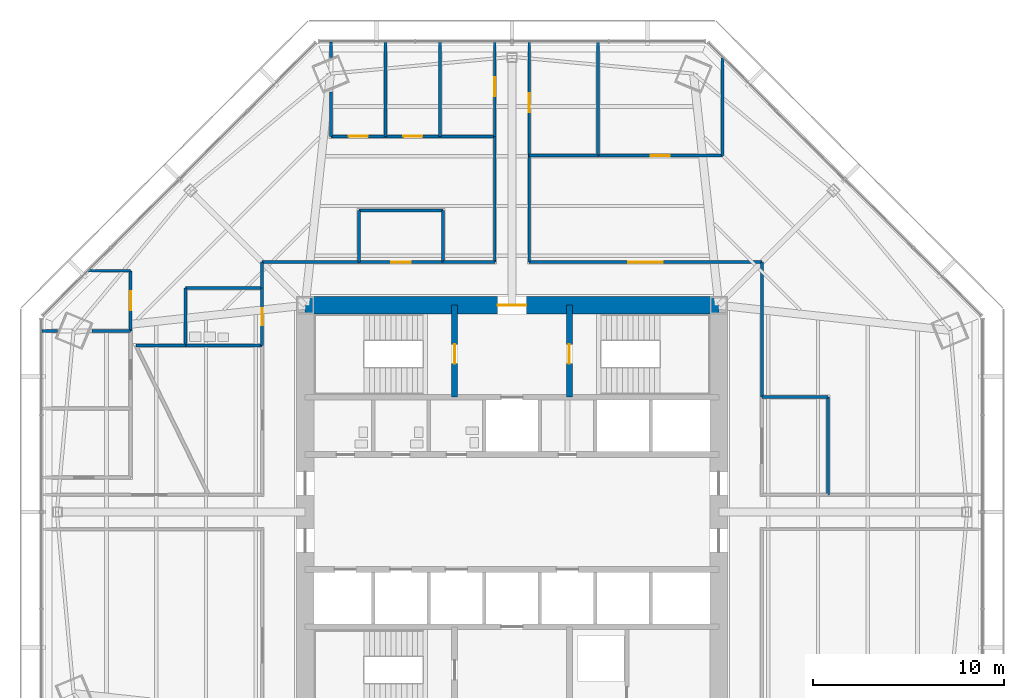
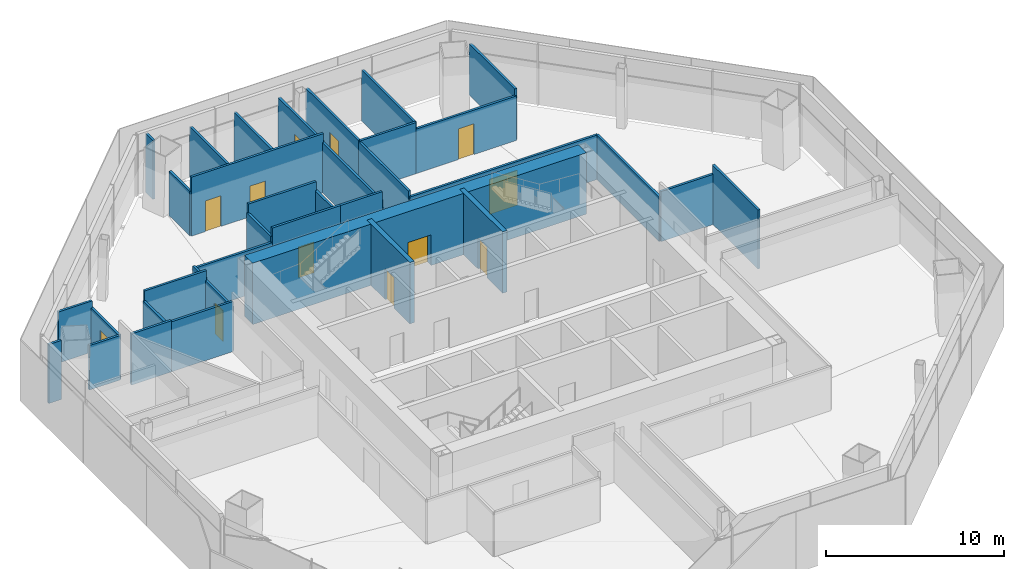
# One storey, part 10 of 14: 36 walls, 12 doors, 12 openings.
"""IFC4 building model written with IfcOpenShell, lengths in metres."""

from ifc_helpers import new_model, si_unit, direction, frame, frame_2d, origin, place, context, subcontext, project, spatial, rectangle, extrude, material, layer, layer_set, type_object, element, fill, save


model = new_model("IFC4")

# Units and contexts
model_context = context("Model", 3, precision=1e-05, world=origin(), true_north=direction((0.0, 1.0)))
body_context = subcontext(model_context, "Body", "Model", "MODEL_VIEW")
ifc_project = project(units=[si_unit("LENGTHUNIT", "METRE"), si_unit("AREAUNIT", "SQUARE_METRE"), si_unit("VOLUMEUNIT", "CUBIC_METRE"), si_unit("PLANEANGLEUNIT", "RADIAN"), si_unit("MASSUNIT", "GRAM", prefix="KILO")], contexts=[model_context])

# Site, building, storey
site_placement = place(None, origin())
site = spatial("IfcSite", under=ifc_project, at=site_placement, CompositionType="ELEMENT")
building_placement = place(site_placement, origin())
building = spatial("IfcBuilding", under=site, at=building_placement, Name="Mashrafa Tower", CompositionType="ELEMENT")
storey_placement = place(building_placement, frame((0.0, 0.0, 121.800048828125)))
storey = spatial("IfcBuildingStorey", under=building, at=storey_placement, Name="L27", CompositionType="ELEMENT", Elevation=121.800048828125)

# Wall, opening, door
ifc_material_1 = material(Name="Concrete C60/75", Category="concrete")
ifc_layer_1 = layer(ifc_material_1, 0.300048828125)
ifc_layer_set_1 = layer_set([ifc_layer_1], Name="Core wall 300 C60/75")
wall_type_1 = type_object("IfcWallType", Name="Core wall 300 C60/75", PredefinedType="SOLIDWALL", material=ifc_layer_set_1)
wall_1_placement = place(storey_placement, frame((-3.0, 6.0, 0.0), z_axis=(0.0, 0.0, 1.0), x_axis=(0.0, 1.0, 0.0)))
wall_1 = element("IfcWall", 1, at=wall_1_placement, inside=storey, type_object=wall_type_1, Name="Core wall CX-NW L27", PredefinedType="SOLIDWALL", context=body_context, shape_type="SweptSolid", body=[
    extrude(rectangle(XDim=4.800048828125, YDim=0.300048828125, at=frame_2d((2.39990234375, 0.0))), origin(), (0.0, 0.0, 1.0), 4.199951171875),
])
opening_1_placement = place(wall_1_placement, frame((1.75, 0.0, 0.0)))
opening_1 = element("IfcOpeningElement", 2, at=opening_1_placement, cuts=wall_1, Name="Opening 27.024", PredefinedType="OPENING", context=body_context, shape_type="SweptSolid", body=[
    extrude(rectangle(XDim=1.0, YDim=2.10009765625, at=frame_2d((0.5, 1.050048828125))), frame((0.0, 0.159912109375, 0.0), z_axis=(0.0, -1.0, 0.0), x_axis=(1.0, 0.0, 0.0)), (0.0, 0.0, 1.0), 0.320068359375),
])
ifc_material_2 = material(Name="Steel door", Category="steel")
door_type_1 = type_object("IfcDoorType", Name="Stair door 1000 x 2100 90 min", OperationType="USERDEFINED", PredefinedType="DOOR", material=ifc_material_2)
door_1_placement = place(opening_1_placement, origin())
door_1 = element("IfcDoor", 3, at=door_1_placement, inside=storey, type_object=door_type_1, Name="Stair S1 door L27", OperationType="SINGLE_SWING_LEFT", OverallHeight=2.10009765625, OverallWidth=1.0, PredefinedType="DOOR", context=body_context, shape_type="SweptSolid", body=[
    extrude(rectangle(XDim=1.0, YDim=2.10009765625, at=frame_2d((0.5, 1.050048828125))), frame((0.0, 0.02490234375, 0.0), z_axis=(0.0, -1.0, 0.0), x_axis=(1.0, 0.0, 0.0)), (0.0, 0.0, 1.0), 0.050048828125),
])
fill(opening_1, door_1)

wall_2_placement = place(storey_placement, frame((3.0, 6.0, 0.0), z_axis=(0.0, 0.0, 1.0), x_axis=(0.0, 1.0, 0.0)))
wall_2 = element("IfcWall", 4, at=wall_2_placement, inside=storey, type_object=wall_type_1, Name="Core wall CX-NE L27", PredefinedType="SOLIDWALL", context=body_context, shape_type="SweptSolid", body=[
    extrude(rectangle(XDim=4.800048828125, YDim=0.300048828125, at=frame_2d((2.39990234375, 0.0))), origin(), (0.0, 0.0, 1.0), 4.199951171875),
])
opening_2_placement = place(wall_2_placement, frame((1.75, 0.0, 0.0)))
opening_2 = element("IfcOpeningElement", 5, at=opening_2_placement, cuts=wall_2, Name="Opening 27.025", PredefinedType="OPENING", context=body_context, shape_type="SweptSolid", body=[
    extrude(rectangle(XDim=1.0, YDim=2.10009765625, at=frame_2d((0.5, 1.050048828125))), frame((0.0, 0.159912109375, 0.0), z_axis=(0.0, -1.0, 0.0), x_axis=(1.0, 0.0, 0.0)), (0.0, 0.0, 1.0), 0.320068359375),
])
door_2_placement = place(opening_2_placement, frame((1.0, 0.0, 0.0), z_axis=(0.0, 0.0, 1.0), x_axis=(-1.0, 0.0, 0.0)))
door_2 = element("IfcDoor", 6, at=door_2_placement, inside=storey, type_object=door_type_1, Name="Stair S2 door L27", OperationType="SINGLE_SWING_RIGHT", OverallHeight=2.10009765625, OverallWidth=1.0, PredefinedType="DOOR", context=body_context, shape_type="SweptSolid", body=[
    extrude(rectangle(XDim=1.0, YDim=2.10009765625, at=frame_2d((0.5, 1.050048828125))), frame((0.0, 0.02490234375, 0.0), z_axis=(0.0, -1.0, 0.0), x_axis=(1.0, 0.0, 0.0)), (0.0, 0.0, 1.0), 0.050048828125),
])
fill(opening_2, door_2)

ifc_material_3 = material(Name="Concrete C60/75", Category="concrete")
ifc_layer_2 = layer(ifc_material_3, 0.89990234375)
ifc_layer_set_2 = layer_set([ifc_layer_2], Name="Core wall 900 C60/75")
wall_type_2 = type_object("IfcWallType", Name="Core wall 900 C60/75", PredefinedType="SOLIDWALL", material=ifc_layer_set_2)
wall_3_placement = place(storey_placement, frame((10.800048828125, 10.800048828125, 0.0), z_axis=(0.0, 0.0, 1.0), x_axis=(-1.0, 0.0, 0.0)))
wall_3 = element("IfcWall", 7, at=wall_3_placement, inside=storey, type_object=wall_type_2, Name="Core wall CW-N L27", PredefinedType="SOLIDWALL", context=body_context, shape_type="SweptSolid", body=[
    extrude(rectangle(XDim=21.60009765625, YDim=0.89990234375, at=frame_2d((10.800048828125, 0.0))), origin(), (0.0, 0.0, 1.0), 4.199951171875),
])
opening_3_placement = place(wall_3_placement, frame((10.050048828125, 0.0, 0.0)))
opening_3 = element("IfcOpeningElement", 8, at=opening_3_placement, cuts=wall_3, Name="Opening 27.022", PredefinedType="OPENING", context=body_context, shape_type="SweptSolid", body=[
    extrude(rectangle(XDim=1.5, YDim=2.10009765625, at=frame_2d((0.75, 1.050048828125))), frame((0.0, 0.4599609375, 0.0), z_axis=(0.0, -1.0, 0.0), x_axis=(1.0, 0.0, 0.0)), (0.0, 0.0, 1.0), 0.919921875),
])
ifc_material_4 = material(Name="Steel door", Category="steel")
door_type_2 = type_object("IfcDoorType", Name="Lobby door pair 1500 x 2100 90 min", OperationType="DOUBLE_DOOR_SINGLE_SWING", PredefinedType="DOOR", material=ifc_material_4)
door_3_placement = place(opening_3_placement, origin())
door_3 = element("IfcDoor", 9, at=door_3_placement, inside=storey, type_object=door_type_2, Name="Fire-fighting lobby F1 door L27", OperationType="DOUBLE_DOOR_SINGLE_SWING", OverallHeight=2.10009765625, OverallWidth=1.5, PredefinedType="DOOR", context=body_context, shape_type="SweptSolid", body=[
    extrude(rectangle(XDim=1.5, YDim=2.10009765625, at=frame_2d((0.75, 1.050048828125))), frame((0.0, 0.02490234375, 0.0), z_axis=(0.0, -1.0, 0.0), x_axis=(1.0, 0.0, 0.0)), (0.0, 0.0, 1.0), 0.050048828125),
])
fill(opening_3, door_3)

ifc_material_5 = material(Name="Gypsum board on steel studs", Category="steel")
ifc_layer_3 = layer(ifc_material_5, 0.14990234375)
ifc_layer_set_3 = layer_set([ifc_layer_3], Name="Corridor partition 150 1 hr")
wall_type_3 = type_object("IfcWallType", Name="Corridor partition 150 1 hr", PredefinedType="PARTITIONING", material=ifc_layer_set_3)
wall_4_placement = place(storey_placement, frame((-13.050048828125, 11.700927734375, 0.0), z_axis=(0.0, 0.0, 1.0), x_axis=(0.0, -1.0, 0.0)))
wall_4 = element("IfcWall", 10, at=wall_4_placement, inside=storey, type_object=wall_type_3, Name="Corridor wall L27-003", PredefinedType="PARTITIONING", context=body_context, shape_type="SweptSolid", body=[
    extrude(rectangle(XDim=3.001953125, YDim=0.14990234375, at=frame_2d((1.5009765625, 0.0))), origin(), (0.0, 0.0, 1.0), 3.0419921875),
])
opening_4_placement = place(wall_4_placement, frame((1.051025390625, 0.0, 0.0)))
opening_4 = element("IfcOpeningElement", 11, at=opening_4_placement, cuts=wall_4, Name="Opening 27.002", PredefinedType="OPENING", context=body_context, shape_type="SweptSolid", body=[
    extrude(rectangle(XDim=0.89990234375, YDim=2.10009765625, at=frame_2d((0.449951171875, 1.050048828125))), frame((0.0, 0.0849609375, 0.0), z_axis=(0.0, -1.0, 0.0), x_axis=(1.0, 0.0, 0.0)), (0.0, 0.0, 1.0), 0.169921875),
])
ifc_material_6 = material(Name="Timber door", Category="wood")
door_type_3 = type_object("IfcDoorType", Name="Toilet door 900 x 2100", OperationType="USERDEFINED", PredefinedType="DOOR", material=ifc_material_6)
door_4_placement = place(opening_4_placement, frame((0.89990234375, 0.0, 0.0), z_axis=(0.0, 0.0, 1.0), x_axis=(-1.0, 0.0, 0.0)))
door_4 = element("IfcDoor", 12, at=door_4_placement, inside=storey, type_object=door_type_3, Name="Ablution Room L27 door", OperationType="SINGLE_SWING_RIGHT", OverallHeight=2.10009765625, OverallWidth=0.89990234375, PredefinedType="DOOR", context=body_context, shape_type="SweptSolid", body=[
    extrude(rectangle(XDim=0.89990234375, YDim=2.10009765625, at=frame_2d((0.449951171875, 1.050048828125))), frame((0.0, 0.02490234375, 0.0), z_axis=(0.0, -1.0, 0.0), x_axis=(1.0, 0.0, 0.0)), (0.0, 0.0, 1.0), 0.050048828125),
])
fill(opening_4, door_4)

wall_5_placement = place(storey_placement, frame((0.89990234375, 18.6181640625, 0.0), z_axis=(0.0, 0.0, 1.0), x_axis=(0.0, 1.0, 0.0)))
wall_5 = element("IfcWall", 13, at=wall_5_placement, inside=storey, type_object=wall_type_3, Name="Corridor wall L27-006", PredefinedType="PARTITIONING", context=body_context, shape_type="SweptSolid", body=[
    extrude(rectangle(XDim=5.93505859375, YDim=0.14990234375, at=frame_2d((2.967529296875, 0.0))), origin(), (0.0, 0.0, 1.0), 3.491455078125),
])
opening_5_placement = place(wall_5_placement, frame((2.25048828125, 0.0, 0.0)))
opening_5 = element("IfcOpeningElement", 14, at=opening_5_placement, cuts=wall_5, Name="Opening 27.005", PredefinedType="OPENING", context=body_context, shape_type="SweptSolid", body=[
    extrude(rectangle(XDim=1.0, YDim=2.10009765625, at=frame_2d((0.5, 1.050048828125))), frame((0.0, 0.0849609375, 0.0), z_axis=(0.0, -1.0, 0.0), x_axis=(1.0, 0.0, 0.0)), (0.0, 0.0, 1.0), 0.169921875),
])
ifc_material_7 = material(Name="Timber door", Category="wood")
door_type_4 = type_object("IfcDoorType", Name="Door 1000 x 2100", OperationType="USERDEFINED", PredefinedType="DOOR", material=ifc_material_7)
door_5_placement = place(opening_5_placement, frame((1.0, 0.0, 0.0), z_axis=(0.0, 0.0, 1.0), x_axis=(-1.0, 0.0, 0.0)))
door_5 = element("IfcDoor", 15, at=door_5_placement, inside=storey, type_object=door_type_4, Name="Secretary's Office 27 door", OperationType="SINGLE_SWING_RIGHT", OverallHeight=2.10009765625, OverallWidth=1.0, PredefinedType="DOOR", context=body_context, shape_type="SweptSolid", body=[
    extrude(rectangle(XDim=1.0, YDim=2.10009765625, at=frame_2d((0.5, 1.050048828125))), frame((0.0, 0.02490234375, 0.0), z_axis=(0.0, -1.0, 0.0), x_axis=(1.0, 0.0, 0.0)), (0.0, 0.0, 1.0), 0.050048828125),
])
fill(opening_5, door_5)

wall_6_placement = place(storey_placement, frame((-3.59912109375, 13.050048828125, 0.0), z_axis=(0.0, 0.0, 1.0), x_axis=(-1.0, 0.0, 0.0)))
wall_6 = element("IfcWall", 16, at=wall_6_placement, inside=storey, type_object=wall_type_3, Name="Corridor wall L27-008", PredefinedType="PARTITIONING", context=body_context, shape_type="SweptSolid", body=[
    extrude(rectangle(XDim=4.40185546875, YDim=0.14990234375, at=frame_2d((2.200927734375, 0.0))), origin(), (0.0, 0.0, 1.0), 4.034912109375),
])
opening_6_placement = place(wall_6_placement, frame((1.700927734375, 0.0, 0.0)))
opening_6 = element("IfcOpeningElement", 17, at=opening_6_placement, cuts=wall_6, Name="Opening 27.007", PredefinedType="OPENING", context=body_context, shape_type="SweptSolid", body=[
    extrude(rectangle(XDim=1.0, YDim=2.10009765625, at=frame_2d((0.5, 1.050048828125))), frame((0.0, 0.0849609375, 0.0), z_axis=(0.0, -1.0, 0.0), x_axis=(1.0, 0.0, 0.0)), (0.0, 0.0, 1.0), 0.169921875),
])
door_6_placement = place(opening_6_placement, frame((1.0, 0.0, 0.0), z_axis=(0.0, 0.0, 1.0), x_axis=(-1.0, 0.0, 0.0)))
door_6 = element("IfcDoor", 18, at=door_6_placement, inside=storey, type_object=door_type_4, Name="Pantry 27 door", OperationType="SINGLE_SWING_LEFT", OverallHeight=2.10009765625, OverallWidth=1.0, PredefinedType="DOOR", context=body_context, shape_type="SweptSolid", body=[
    extrude(rectangle(XDim=1.0, YDim=2.10009765625, at=frame_2d((0.5, 1.050048828125))), frame((0.0, 0.02490234375, 0.0), z_axis=(0.0, -1.0, 0.0), x_axis=(1.0, 0.0, 0.0)), (0.0, 0.0, 1.0), 0.050048828125),
])
fill(opening_6, door_6)

wall_7_placement = place(storey_placement, frame((-0.89990234375, 24.55322265625, 0.0), z_axis=(0.0, 0.0, 1.0), x_axis=(0.0, -1.0, 0.0)))
wall_7 = element("IfcWall", 19, at=wall_7_placement, inside=storey, type_object=wall_type_3, Name="Corridor wall L27-009", PredefinedType="PARTITIONING", context=body_context, shape_type="SweptSolid", body=[
    extrude(rectangle(XDim=4.93505859375, YDim=0.14990234375, at=frame_2d((2.467529296875, 0.0))), origin(), (0.0, 0.0, 1.0), 3.491455078125),
])
opening_7_placement = place(wall_7_placement, frame((1.849609375, 0.0, 0.0)))
opening_7 = element("IfcOpeningElement", 20, at=opening_7_placement, cuts=wall_7, Name="Opening 27.011", PredefinedType="OPENING", context=body_context, shape_type="SweptSolid", body=[
    extrude(rectangle(XDim=1.0, YDim=2.10009765625, at=frame_2d((0.5, 1.050048828125))), frame((0.0, 0.0849609375, 0.0), z_axis=(0.0, -1.0, 0.0), x_axis=(1.0, 0.0, 0.0)), (0.0, 0.0, 1.0), 0.169921875),
])
door_7_placement = place(opening_7_placement, frame((1.0, 0.0, 0.0), z_axis=(0.0, 0.0, 1.0), x_axis=(-1.0, 0.0, 0.0)))
door_7 = element("IfcDoor", 21, at=door_7_placement, inside=storey, type_object=door_type_4, Name="Meeting Room 27-1 door", OperationType="SINGLE_SWING_RIGHT", OverallHeight=2.10009765625, OverallWidth=1.0, PredefinedType="DOOR", context=body_context, shape_type="SweptSolid", body=[
    extrude(rectangle(XDim=1.0, YDim=2.10009765625, at=frame_2d((0.5, 1.050048828125))), frame((0.0, 0.02490234375, 0.0), z_axis=(0.0, -1.0, 0.0), x_axis=(1.0, 0.0, 0.0)), (0.0, 0.0, 1.0), 0.050048828125),
])
fill(opening_7, door_7)

# Wall
wall_8_placement = place(storey_placement, frame((13.050048828125, 5.9990234375, 0.0), z_axis=(0.0, 0.0, 1.0), x_axis=(0.0, 1.0, 0.0)))
element("IfcWall", 22, at=wall_8_placement, inside=storey, type_object=wall_type_3, Name="Corridor wall L27-010", PredefinedType="PARTITIONING", context=body_context, shape_type="SweptSolid", body=[
    extrude(rectangle(XDim=7.051025390625, YDim=0.14990234375, at=frame_2d((3.525390625, 0.0))), origin(), (0.0, 0.0, 1.0), 3.0419921875),
])

# Wall, opening, door
wall_9_placement = place(storey_placement, frame((13.050048828125, 13.050048828125, 0.0), z_axis=(0.0, 0.0, 1.0), x_axis=(-1.0, 0.0, 0.0)))
wall_9 = element("IfcWall", 23, at=wall_9_placement, inside=storey, type_object=wall_type_3, Name="Corridor wall L27-011", PredefinedType="PARTITIONING", context=body_context, shape_type="SweptSolid", body=[
    extrude(rectangle(XDim=12.150146484375, YDim=0.14990234375, at=frame_2d((6.0751953125, 0.0))), origin(), (0.0, 0.0, 1.0), 3.0419921875),
])
opening_8_placement = place(wall_9_placement, frame((5.175048828125, 0.0, 0.0)))
opening_8 = element("IfcOpeningElement", 24, at=opening_8_placement, cuts=wall_9, Name="Opening 27.014", PredefinedType="OPENING", context=body_context, shape_type="SweptSolid", body=[
    extrude(rectangle(XDim=1.800048828125, YDim=2.39990234375, at=frame_2d((0.89990234375, 1.199951171875))), frame((0.0, 0.0849609375, 0.0), z_axis=(0.0, -1.0, 0.0), x_axis=(1.0, 0.0, 0.0)), (0.0, 0.0, 1.0), 0.169921875),
])
ifc_material_8 = material(Name="Timber door", Category="wood")
door_type_5 = type_object("IfcDoorType", Name="Door pair 1800 x 2400", OperationType="DOUBLE_DOOR_SINGLE_SWING", PredefinedType="DOOR", material=ifc_material_8)
door_8_placement = place(opening_8_placement, frame((1.800048828125, 0.0, 0.0), z_axis=(0.0, 0.0, 1.0), x_axis=(-1.0, 0.0, 0.0)))
door_8 = element("IfcDoor", 25, at=door_8_placement, inside=storey, type_object=door_type_5, Name="Agency Services Office 27-NE door", OperationType="DOUBLE_DOOR_SINGLE_SWING", OverallHeight=2.39990234375, OverallWidth=1.800048828125, PredefinedType="DOOR", context=body_context, shape_type="SweptSolid", body=[
    extrude(rectangle(XDim=1.800048828125, YDim=2.39990234375, at=frame_2d((0.89990234375, 1.199951171875))), frame((0.0, 0.02490234375, 0.0), z_axis=(0.0, -1.0, 0.0), x_axis=(1.0, 0.0, 0.0)), (0.0, 0.0, 1.0), 0.050048828125),
])
fill(opening_8, door_8)

# Walls
wall_10_placement = place(storey_placement, frame((0.89990234375, 13.050048828125, 0.0), z_axis=(0.0, 0.0, 1.0), x_axis=(0.0, 1.0, 0.0)))
element("IfcWall", 26, at=wall_10_placement, inside=storey, type_object=wall_type_3, Name="Corridor wall L27-012", PredefinedType="PARTITIONING", context=body_context, shape_type="SweptSolid", body=[
    extrude(rectangle(XDim=5.570068359375, YDim=0.14990234375, at=frame_2d((2.78515625, 0.0))), origin(), (0.0, 0.0, 1.0), 3.425537109375),
])
wall_11_placement = place(storey_placement, frame((-7.9990234375, 13.050048828125, 0.0), z_axis=(0.0, 0.0, 1.0), x_axis=(-1.0, 0.0, 0.0)))
element("IfcWall", 27, at=wall_11_placement, inside=storey, type_object=wall_type_3, Name="Corridor wall L27-015", PredefinedType="PARTITIONING", context=body_context, shape_type="SweptSolid", body=[
    extrude(rectangle(XDim=5.051025390625, YDim=0.14990234375, at=frame_2d((2.525390625, 0.0))), origin(), (0.0, 0.0, 1.0), 3.0419921875),
])
wall_12_placement = place(storey_placement, frame((-13.050048828125, 13.050048828125, 0.0), z_axis=(0.0, 0.0, 1.0), x_axis=(0.0, -1.0, 0.0)))
element("IfcWall", 28, at=wall_12_placement, inside=storey, type_object=wall_type_3, Name="Corridor wall L27-016", PredefinedType="PARTITIONING", context=body_context, shape_type="SweptSolid", body=[
    extrude(rectangle(XDim=1.35107421875, YDim=0.14990234375, at=frame_2d((0.675537109375, 0.0))), origin(), (0.0, 0.0, 1.0), 3.184326171875),
])
wall_13_placement = place(storey_placement, frame((-0.89990234375, 19.6201171875, 0.0), z_axis=(0.0, 0.0, 1.0), x_axis=(0.0, -1.0, 0.0)))
element("IfcWall", 29, at=wall_13_placement, inside=storey, type_object=wall_type_3, Name="Corridor wall L27-017", PredefinedType="PARTITIONING", context=body_context, shape_type="SweptSolid", body=[
    extrude(rectangle(XDim=6.570068359375, YDim=0.14990234375, at=frame_2d((3.28515625, 0.0))), origin(), (0.0, 0.0, 1.0), 3.425537109375),
])
wall_14_placement = place(storey_placement, frame((-0.89990234375, 13.050048828125, 0.0), z_axis=(0.0, 0.0, 1.0), x_axis=(-1.0, 0.0, 0.0)))
element("IfcWall", 30, at=wall_14_placement, inside=storey, type_object=wall_type_3, Name="Corridor wall L27-018", PredefinedType="PARTITIONING", context=body_context, shape_type="SweptSolid", body=[
    extrude(rectangle(XDim=2.701171875, YDim=0.14990234375, at=frame_2d((1.3505859375, 0.0))), origin(), (0.0, 0.0, 1.0), 4.034912109375),
])
wall_15_placement = place(storey_placement, frame((16.5, 0.89990234375, 0.0), z_axis=(0.0, 0.0, 1.0), x_axis=(0.0, 1.0, 0.0)))
element("IfcWall", 31, at=wall_15_placement, inside=storey, type_object=wall_type_3, Name="Corridor wall L27-033", PredefinedType="PARTITIONING", context=body_context, shape_type="SweptSolid", body=[
    extrude(rectangle(XDim=5.10009765625, YDim=0.14990234375, at=frame_2d((2.550048828125, 0.0))), origin(), (0.0, 0.0, 1.0), 4.034912109375),
])
wall_16_placement = place(storey_placement, frame((16.5, 6.0, 0.0), z_axis=(0.0, 0.0, 1.0), x_axis=(-1.0, 0.0, 0.0)))
element("IfcWall", 32, at=wall_16_placement, inside=storey, type_object=wall_type_3, Name="Corridor wall L27-034", PredefinedType="PARTITIONING", context=body_context, shape_type="SweptSolid", body=[
    extrude(rectangle(XDim=3.449951171875, YDim=0.14990234375, at=frame_2d((1.72509765625, 0.0))), origin(), (0.0, 0.0, 1.0), 3.425537109375),
])
ifc_material_9 = material(Name="Gypsum board on steel studs", Category="steel")
ifc_layer_4 = layer(ifc_material_9, 0.14990234375)
ifc_layer_set_4 = layer_set([ifc_layer_4], Name="Partition 150")
wall_type_4 = type_object("IfcWallType", Name="Partition 150", PredefinedType="PARTITIONING", material=ifc_layer_set_4)
wall_17_placement = place(storey_placement, frame((-13.050048828125, 8.699951171875, 0.0), z_axis=(0.0, 0.0, 1.0), x_axis=(-1.0, 0.0, 0.0)))
element("IfcWall", 33, at=wall_17_placement, inside=storey, type_object=wall_type_4, Name="Partition wall L27-028", PredefinedType="PARTITIONING", context=body_context, shape_type="SweptSolid", body=[
    extrude(rectangle(XDim=4.0009765625, YDim=0.14990234375, at=frame_2d((2.00048828125, 0.0))), origin(), (0.0, 0.0, 1.0), 3.425537109375),
])
wall_18_placement = place(storey_placement, frame((-17.049072265625, 8.699951171875, 0.0), z_axis=(0.0, 0.0, 1.0), x_axis=(-1.0, 0.0, 0.0)))
element("IfcWall", 34, at=wall_18_placement, inside=storey, type_object=wall_type_4, Name="Partition wall L27-029", PredefinedType="PARTITIONING", context=body_context, shape_type="SweptSolid", body=[
    extrude(rectangle(XDim=2.600830078125, YDim=0.14990234375, at=frame_2d((1.30029296875, 0.0))), origin(), (0.0, 0.0, 1.0), 3.499267578125),
])
wall_19_placement = place(storey_placement, frame((-13.050048828125, 11.699951171875, 0.0), z_axis=(0.0, 0.0, 1.0), x_axis=(-1.0, 0.0, 0.0)))
element("IfcWall", 35, at=wall_19_placement, inside=storey, type_object=wall_type_4, Name="Partition wall L27-031", PredefinedType="PARTITIONING", context=body_context, shape_type="SweptSolid", body=[
    extrude(rectangle(XDim=4.0, YDim=0.14990234375, at=frame_2d((2.0, 0.0))), origin(), (0.0, 0.0, 1.0), 3.715087890625),
])
wall_20_placement = place(storey_placement, frame((-17.050048828125, 11.699951171875, 0.0), z_axis=(0.0, 0.0, 1.0), x_axis=(0.0, -1.0, 0.0)))
element("IfcWall", 36, at=wall_20_placement, inside=storey, type_object=wall_type_4, Name="Partition wall L27-032", PredefinedType="PARTITIONING", context=body_context, shape_type="SweptSolid", body=[
    extrude(rectangle(XDim=3.0, YDim=0.14990234375, at=frame_2d((1.5, 0.0))), origin(), (0.0, 0.0, 1.0), 3.0419921875),
])
wall_21_placement = place(storey_placement, frame((4.5, 24.55126953125, 0.0), z_axis=(0.0, 0.0, 1.0), x_axis=(0.0, -1.0, 0.0)))
element("IfcWall", 37, at=wall_21_placement, inside=storey, type_object=wall_type_4, Name="Partition wall L27-035", PredefinedType="PARTITIONING", context=body_context, shape_type="SweptSolid", body=[
    extrude(rectangle(XDim=5.93212890625, YDim=0.14990234375, at=frame_2d((2.966064453125, 0.0))), origin(), (0.0, 0.0, 1.0), 3.491455078125),
])

# Wall, opening, door
wall_22_placement = place(storey_placement, frame((4.5, 18.619140625, 0.0), z_axis=(0.0, 0.0, 1.0), x_axis=(1.0, 0.0, 0.0)))
wall_22 = element("IfcWall", 38, at=wall_22_placement, inside=storey, type_object=wall_type_4, Name="Partition wall L27-036", PredefinedType="PARTITIONING", context=body_context, shape_type="SweptSolid", body=[
    extrude(rectangle(XDim=6.5, YDim=0.14990234375, at=frame_2d((3.25, 0.0))), origin(), (0.0, 0.0, 1.0), 3.0419921875),
])
opening_9_placement = place(wall_22_placement, frame((2.75, 0.0, 0.0)))
opening_9 = element("IfcOpeningElement", 39, at=opening_9_placement, cuts=wall_22, Name="Opening 27.004", PredefinedType="OPENING", context=body_context, shape_type="SweptSolid", body=[
    extrude(rectangle(XDim=1.0, YDim=2.10009765625, at=frame_2d((0.5, 1.050048828125))), frame((0.0, 0.0849609375, 0.0), z_axis=(0.0, -1.0, 0.0), x_axis=(1.0, 0.0, 0.0)), (0.0, 0.0, 1.0), 0.169921875),
])
door_9_placement = place(opening_9_placement, origin())
door_9 = element("IfcDoor", 40, at=door_9_placement, inside=storey, type_object=door_type_4, Name="Director General's Office 27-NE door", OperationType="SINGLE_SWING_RIGHT", OverallHeight=2.10009765625, OverallWidth=1.0, PredefinedType="DOOR", context=body_context, shape_type="SweptSolid", body=[
    extrude(rectangle(XDim=1.0, YDim=2.10009765625, at=frame_2d((0.5, 1.050048828125))), frame((0.0, 0.02490234375, 0.0), z_axis=(0.0, -1.0, 0.0), x_axis=(1.0, 0.0, 0.0)), (0.0, 0.0, 1.0), 0.050048828125),
])
fill(opening_9, door_9)

# Walls
wall_23_placement = place(storey_placement, frame((11.0, 18.619140625, 0.0), z_axis=(0.0, 0.0, 1.0), x_axis=(0.0, 1.0, 0.0)))
element("IfcWall", 41, at=wall_23_placement, inside=storey, type_object=wall_type_4, Name="Partition wall L27-037", PredefinedType="PARTITIONING", context=body_context, shape_type="SweptSolid", body=[
    extrude(rectangle(XDim=5.10302734375, YDim=0.14990234375, at=frame_2d((2.551513671875, 0.0))), origin(), (0.0, 0.0, 1.0), 3.499267578125),
])
wall_24_placement = place(storey_placement, frame((0.89990234375, 18.619140625, 0.0), z_axis=(0.0, 0.0, 1.0), x_axis=(1.0, 0.0, 0.0)))
element("IfcWall", 42, at=wall_24_placement, inside=storey, type_object=wall_type_4, Name="Partition wall L27-038", PredefinedType="PARTITIONING", context=body_context, shape_type="SweptSolid", body=[
    extrude(rectangle(XDim=3.60009765625, YDim=0.14990234375, at=frame_2d((1.800048828125, 0.0))), origin(), (0.0, 0.0, 1.0), 3.499267578125),
])
wall_25_placement = place(storey_placement, frame((-3.60009765625, 13.050048828125, 0.0), z_axis=(0.0, 0.0, 1.0), x_axis=(0.0, 1.0, 0.0)))
element("IfcWall", 43, at=wall_25_placement, inside=storey, type_object=wall_type_4, Name="Partition wall L27-042", PredefinedType="PARTITIONING", context=body_context, shape_type="SweptSolid", body=[
    extrude(rectangle(XDim=2.699951171875, YDim=0.14990234375, at=frame_2d((1.35009765625, 0.0))), origin(), (0.0, 0.0, 1.0), 3.425537109375),
])
wall_26_placement = place(storey_placement, frame((-3.60009765625, 15.75, 0.0), z_axis=(0.0, 0.0, 1.0), x_axis=(-1.0, 0.0, 0.0)))
element("IfcWall", 44, at=wall_26_placement, inside=storey, type_object=wall_type_4, Name="Partition wall L27-043", PredefinedType="PARTITIONING", context=body_context, shape_type="SweptSolid", body=[
    extrude(rectangle(XDim=4.39990234375, YDim=0.14990234375, at=frame_2d((2.199951171875, 0.0))), origin(), (0.0, 0.0, 1.0), 4.034912109375),
])
wall_27_placement = place(storey_placement, frame((-8.0, 15.75, 0.0), z_axis=(0.0, 0.0, 1.0), x_axis=(0.0, -1.0, 0.0)))
element("IfcWall", 45, at=wall_27_placement, inside=storey, type_object=wall_type_4, Name="Partition wall L27-044", PredefinedType="PARTITIONING", context=body_context, shape_type="SweptSolid", body=[
    extrude(rectangle(XDim=2.699951171875, YDim=0.14990234375, at=frame_2d((1.35009765625, 0.0))), origin(), (0.0, 0.0, 1.0), 3.425537109375),
])
wall_28_placement = place(storey_placement, frame((-24.55126953125, 9.45703125, 0.0), z_axis=(0.0, 0.0, 1.0), x_axis=(1.0, 0.0, 0.0)))
element("IfcWall", 46, at=wall_28_placement, inside=storey, type_object=wall_type_4, Name="Partition wall L27-045", PredefinedType="PARTITIONING", context=body_context, shape_type="SweptSolid", body=[
    extrude(rectangle(XDim=0.8173828125, YDim=0.14990234375, at=frame_2d((0.40869140625, 0.0))), origin(), (0.0, 0.0, 1.0), 4.034912109375),
])
wall_29_placement = place(storey_placement, frame((-21.92919921875, 9.45703125, 0.0), z_axis=(0.0, 0.0, 1.0), x_axis=(1.0, 0.0, 0.0)))
element("IfcWall", 47, at=wall_29_placement, inside=storey, type_object=wall_type_4, Name="Partition wall L27-046", PredefinedType="PARTITIONING", context=body_context, shape_type="SweptSolid", body=[
    extrude(rectangle(XDim=2.010009765625, YDim=0.14990234375, at=frame_2d((1.0048828125, 0.0))), origin(), (0.0, 0.0, 1.0), 3.0419921875),
])

# Wall, opening, door
wall_30_placement = place(storey_placement, frame((-19.919189453125, 9.45703125, 0.0), z_axis=(0.0, 0.0, 1.0), x_axis=(0.0, 1.0, 0.0)))
wall_30 = element("IfcWall", 48, at=wall_30_placement, inside=storey, type_object=wall_type_4, Name="Partition wall L27-047", PredefinedType="PARTITIONING", context=body_context, shape_type="SweptSolid", body=[
    extrude(rectangle(XDim=3.14306640625, YDim=0.14990234375, at=frame_2d((1.571533203125, 0.0))), origin(), (0.0, 0.0, 1.0), 3.0419921875),
])
opening_10_placement = place(wall_30_placement, frame((1.071533203125, 0.0, 0.0)))
opening_10 = element("IfcOpeningElement", 49, at=opening_10_placement, cuts=wall_30, Name="Opening 27.008", PredefinedType="OPENING", context=body_context, shape_type="SweptSolid", body=[
    extrude(rectangle(XDim=1.0, YDim=2.10009765625, at=frame_2d((0.5, 1.050048828125))), frame((0.0, 0.0849609375, 0.0), z_axis=(0.0, -1.0, 0.0), x_axis=(1.0, 0.0, 0.0)), (0.0, 0.0, 1.0), 0.169921875),
])
door_10_placement = place(opening_10_placement, origin())
door_10 = element("IfcDoor", 50, at=door_10_placement, inside=storey, type_object=door_type_4, Name="Case Officer's Office 27-NW-1 door", OperationType="SINGLE_SWING_RIGHT", OverallHeight=2.10009765625, OverallWidth=1.0, PredefinedType="DOOR", context=body_context, shape_type="SweptSolid", body=[
    extrude(rectangle(XDim=1.0, YDim=2.10009765625, at=frame_2d((0.5, 1.050048828125))), frame((0.0, 0.02490234375, 0.0), z_axis=(0.0, -1.0, 0.0), x_axis=(1.0, 0.0, 0.0)), (0.0, 0.0, 1.0), 0.050048828125),
])
fill(opening_10, door_10)

# Walls
wall_31_placement = place(storey_placement, frame((-19.919189453125, 12.60009765625, 0.0), z_axis=(0.0, 0.0, 1.0), x_axis=(-1.0, 0.0, 0.0)))
element("IfcWall", 51, at=wall_31_placement, inside=storey, type_object=wall_type_4, Name="Partition wall L27-048", PredefinedType="PARTITIONING", context=body_context, shape_type="SweptSolid", body=[
    extrude(rectangle(XDim=2.203125, YDim=0.14990234375, at=frame_2d((1.1015625, 0.0))), origin(), (0.0, 0.0, 1.0), 3.499267578125),
])
wall_32_placement = place(storey_placement, frame((-3.751953125, 24.55126953125, 0.0), z_axis=(0.0, 0.0, 1.0), x_axis=(0.0, -1.0, 0.0)))
element("IfcWall", 52, at=wall_32_placement, inside=storey, type_object=wall_type_4, Name="Partition wall L27-053", PredefinedType="PARTITIONING", context=body_context, shape_type="SweptSolid", body=[
    extrude(rectangle(XDim=4.93212890625, YDim=0.14990234375, at=frame_2d((2.466064453125, 0.0))), origin(), (0.0, 0.0, 1.0), 3.491455078125),
])

# Wall, openings, doors
wall_33_placement = place(storey_placement, frame((-0.89990234375, 19.619140625, 0.0), z_axis=(0.0, 0.0, 1.0), x_axis=(-1.0, 0.0, 0.0)))
wall_33 = element("IfcWall", 53, at=wall_33_placement, inside=storey, type_object=wall_type_4, Name="Partition wall L27-054", PredefinedType="PARTITIONING", context=body_context, shape_type="SweptSolid", body=[
    extrude(rectangle(XDim=8.55712890625, YDim=0.14990234375, at=frame_2d((4.278564453125, 0.0))), origin(), (0.0, 0.0, 1.0), 4.034912109375),
])
opening_11_placement = place(wall_33_placement, frame((3.778564453125, 0.0, 0.0)))
opening_11 = element("IfcOpeningElement", 54, at=opening_11_placement, cuts=wall_33, Name="Opening 27.012", PredefinedType="OPENING", context=body_context, shape_type="SweptSolid", body=[
    extrude(rectangle(XDim=1.0, YDim=2.10009765625, at=frame_2d((0.5, 1.050048828125))), frame((0.0, 0.0849609375, 0.0), z_axis=(0.0, -1.0, 0.0), x_axis=(1.0, 0.0, 0.0)), (0.0, 0.0, 1.0), 0.169921875),
])
opening_12_placement = place(wall_33_placement, frame((6.631103515625, 0.0, 0.0)))
opening_12 = element("IfcOpeningElement", 55, at=opening_12_placement, cuts=wall_33, Name="Opening 27.013", PredefinedType="OPENING", context=body_context, shape_type="SweptSolid", body=[
    extrude(rectangle(XDim=1.0, YDim=2.10009765625, at=frame_2d((0.5, 1.050048828125))), frame((0.0, 0.0849609375, 0.0), z_axis=(0.0, -1.0, 0.0), x_axis=(1.0, 0.0, 0.0)), (0.0, 0.0, 1.0), 0.169921875),
])
door_11_placement = place(opening_11_placement, frame((1.0, 0.0, 0.0), z_axis=(0.0, 0.0, 1.0), x_axis=(-1.0, 0.0, 0.0)))
door_11 = element("IfcDoor", 56, at=door_11_placement, inside=storey, type_object=door_type_4, Name="Meeting Room 27-NW-1 door", OperationType="SINGLE_SWING_LEFT", OverallHeight=2.10009765625, OverallWidth=1.0, PredefinedType="DOOR", context=body_context, shape_type="SweptSolid", body=[
    extrude(rectangle(XDim=1.0, YDim=2.10009765625, at=frame_2d((0.5, 1.050048828125))), frame((0.0, 0.02490234375, 0.0), z_axis=(0.0, -1.0, 0.0), x_axis=(1.0, 0.0, 0.0)), (0.0, 0.0, 1.0), 0.050048828125),
])
fill(opening_11, door_11)
door_12_placement = place(opening_12_placement, frame((1.0, 0.0, 0.0), z_axis=(0.0, 0.0, 1.0), x_axis=(-1.0, 0.0, 0.0)))
door_12 = element("IfcDoor", 57, at=door_12_placement, inside=storey, type_object=door_type_4, Name="Meeting Room 27-NW-2 door", OperationType="SINGLE_SWING_RIGHT", OverallHeight=2.10009765625, OverallWidth=1.0, PredefinedType="DOOR", context=body_context, shape_type="SweptSolid", body=[
    extrude(rectangle(XDim=1.0, YDim=2.10009765625, at=frame_2d((0.5, 1.050048828125))), frame((0.0, 0.02490234375, 0.0), z_axis=(0.0, -1.0, 0.0), x_axis=(1.0, 0.0, 0.0)), (0.0, 0.0, 1.0), 0.050048828125),
])
fill(opening_12, door_12)

# Walls
wall_34_placement = place(storey_placement, frame((-6.60498046875, 24.55126953125, 0.0), z_axis=(0.0, 0.0, 1.0), x_axis=(0.0, -1.0, 0.0)))
element("IfcWall", 58, at=wall_34_placement, inside=storey, type_object=wall_type_4, Name="Partition wall L27-055", PredefinedType="PARTITIONING", context=body_context, shape_type="SweptSolid", body=[
    extrude(rectangle(XDim=4.93212890625, YDim=0.14990234375, at=frame_2d((2.466064453125, 0.0))), origin(), (0.0, 0.0, 1.0), 3.491455078125),
])
wall_35_placement = place(storey_placement, frame((-9.45703125, 24.55126953125, 0.0), z_axis=(0.0, 0.0, 1.0), x_axis=(0.0, -1.0, 0.0)))
element("IfcWall", 59, at=wall_35_placement, inside=storey, type_object=wall_type_4, Name="Partition wall L27-057", PredefinedType="PARTITIONING", context=body_context, shape_type="SweptSolid", body=[
    extrude(rectangle(XDim=0.8173828125, YDim=0.14990234375, at=frame_2d((0.40869140625, 0.0))), origin(), (0.0, 0.0, 1.0), 4.034912109375),
])
wall_36_placement = place(storey_placement, frame((-9.45703125, 21.92919921875, 0.0), z_axis=(0.0, 0.0, 1.0), x_axis=(0.0, -1.0, 0.0)))
element("IfcWall", 60, at=wall_36_placement, inside=storey, type_object=wall_type_4, Name="Partition wall L27-058", PredefinedType="PARTITIONING", context=body_context, shape_type="SweptSolid", body=[
    extrude(rectangle(XDim=2.31005859375, YDim=0.14990234375, at=frame_2d((1.155029296875, 0.0))), origin(), (0.0, 0.0, 1.0), 3.0419921875),
])

save(model, "model.ifc")
